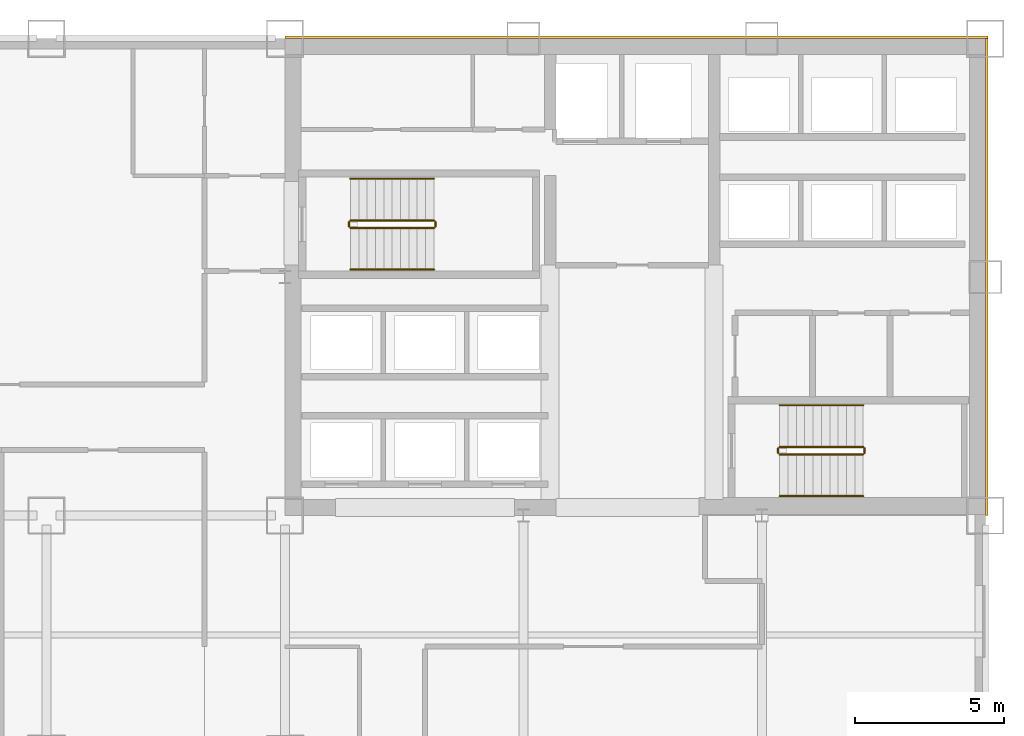
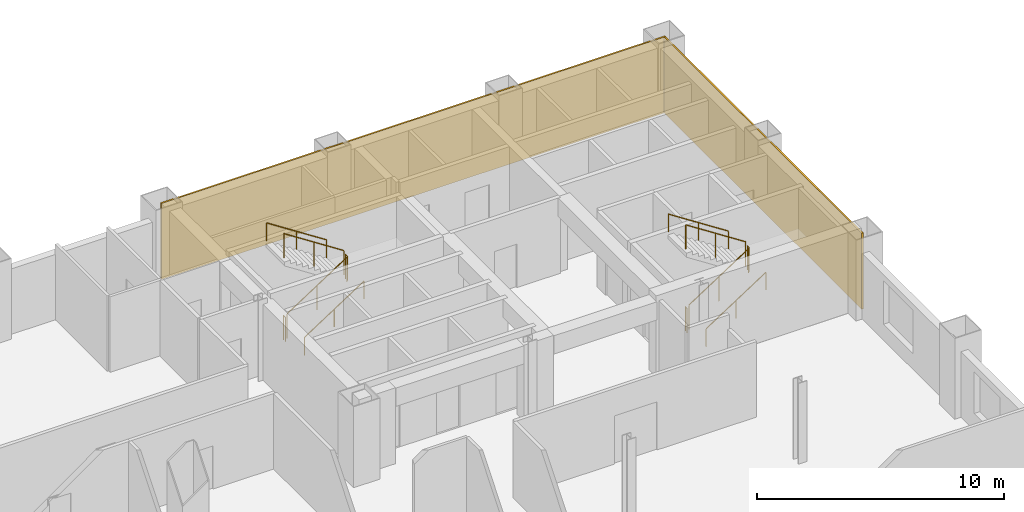
# One storey, part 9 of 9: 12 railings, 2 coverings.
"""IFC4 building model written with IfcOpenShell, lengths in metres."""

from ifc_helpers import new_model, si_unit, direction, frame, origin, origin_2d, place, context, subcontext, project, spatial, rectangle, circle, extrude, material, layer, layer_set, type_object, element, save


model = new_model("IFC4")

# Units and contexts
model_context = context("Model", 3, precision=1e-05, world=origin(), true_north=direction((0.0, 1.0)))
body_context = subcontext(model_context, "Body", "Model", "MODEL_VIEW")
ifc_project = project(units=[si_unit("LENGTHUNIT", "METRE"), si_unit("AREAUNIT", "SQUARE_METRE"), si_unit("VOLUMEUNIT", "CUBIC_METRE"), si_unit("PLANEANGLEUNIT", "RADIAN"), si_unit("MASSUNIT", "GRAM", prefix="KILO")], contexts=[model_context])

# Site, building, storey
site_placement = place(None, origin())
site = spatial("IfcSite", under=ifc_project, at=site_placement, CompositionType="ELEMENT")
building_placement = place(site_placement, origin())
building = spatial("IfcBuilding", under=site, at=building_placement, Name="Qianrong Seaharbour Tower", CompositionType="ELEMENT")
storey_placement = place(building_placement, frame((0.0, 0.0, 60.199951171875)))
storey = spatial("IfcBuildingStorey", under=building, at=storey_placement, Name="L14", CompositionType="ELEMENT", Elevation=60.199951171875)

# Coverings
ifc_material_1 = material(Name="Unitised red brick cladding on Precast concrete C45/55", Category="masonry")
ifc_layer = layer(ifc_material_1, 0.080078125)
ifc_layer_set = layer_set([ifc_layer], Name="Unitised red brick cladding on Precast concrete C45/55")
covering_type = type_object("IfcCoveringType", Name="COV-CLAD-RED-BRICK-80", PredefinedType="CLADDING", material=ifc_layer_set)
covering_1_placement = place(storey_placement, frame((52.2900390625, 52.0400390625, 0.0), z_axis=(0.0, 0.0, 1.0), x_axis=(1.0, 0.0, 0.0)))
element("IfcCovering", 1, at=covering_1_placement, inside=storey, type_object=covering_type, Name="L14 North Core Brick Veneer Cladding", PredefinedType="CLADDING", context=body_context, shape_type="SweptSolid", body=[
    extrude(rectangle(XDim=23.580078125, YDim=0.080078125, at=origin_2d()), origin(), (0.0, 0.0, 1.0), 3.75),
])
covering_2_placement = place(storey_placement, frame((64.0400390625, 44.0, 0.0), z_axis=(0.0, 0.0, 1.0), x_axis=(1.0, 0.0, 0.0)))
element("IfcCovering", 2, at=covering_2_placement, inside=storey, type_object=covering_type, Name="L14 East Core Brick Veneer Cladding", PredefinedType="CLADDING", context=body_context, shape_type="SweptSolid", body=[
    extrude(rectangle(XDim=0.080078125, YDim=16.0, at=origin_2d()), origin(), (0.0, 0.0, 1.0), 3.75),
])

# Railings
ifc_material_2 = material(Name="Galvanized painted steel SN400B stair guard", Category="steel")
railing_type_1 = type_object("IfcRailingType", Name="RAIL-STAIR-GUARD-1220", PredefinedType="GUARDRAIL", material=ifc_material_2)
railing_1_placement = place(storey_placement, frame((42.699951171875, 45.64990234375, 0.181884765625)))
element("IfcRailing", 3, at=railing_1_placement, inside=storey, type_object=railing_type_1, Name="L14 ST-1 stair guard 1", PredefinedType="GUARDRAIL", context=body_context, shape_type="SweptSolid", body=[
    extrude(circle(Radius=0.02392578125, at=origin_2d()), frame((0.0, 0.0, 1.19580078125), z_axis=(0.838705829183, 0.0, 0.544584733623), x_axis=(0.0, 1.0, 0.0)), (0.0, 0.0, 1.0), 3.338623046875),
    extrude(circle(Radius=0.02099609375, at=origin_2d()), origin(), (0.0, 0.0, 1.0), 1.171875),
    extrude(circle(Radius=0.02099609375, at=origin_2d()), frame((1.39990234375, 0.0, 0.9091796875)), (0.0, 0.0, 1.0), 1.171875),
    extrude(circle(Radius=0.02099609375, at=origin_2d()), frame((2.800048828125, 0.0, 1.818115234375)), (0.0, 0.0, 1.0), 1.171875),
])
railing_2_placement = place(storey_placement, frame((45.550048828125, 45.699951171875, 2.0)))
element("IfcRailing", 4, at=railing_2_placement, inside=storey, type_object=railing_type_1, Name="L14 ST-1 stair guard 2", PredefinedType="GUARDRAIL", context=body_context, shape_type="SweptSolid", body=[
    extrude(circle(Radius=0.02392578125, at=origin_2d()), frame((0.0, 0.0, 1.19580078125), z_axis=(0.0, 1.0, 0.0), x_axis=(-1.0, 0.0, 0.0)), (0.0, 0.0, 1.0), 0.150146484375),
    extrude(circle(Radius=0.02099609375, at=origin_2d()), origin(), (0.0, 0.0, 1.0), 1.171875),
    extrude(circle(Radius=0.02099609375, at=origin_2d()), frame((0.0, 0.150146484375, 0.0)), (0.0, 0.0, 1.0), 1.171875),
])
railing_3_placement = place(storey_placement, frame((45.5, 45.89990234375, 2.181884765625)))
element("IfcRailing", 5, at=railing_3_placement, inside=storey, type_object=railing_type_1, Name="L14 ST-1 stair guard 3", PredefinedType="GUARDRAIL", context=body_context, shape_type="SweptSolid", body=[
    extrude(circle(Radius=0.02392578125, at=origin_2d()), frame((0.0, 0.0, 1.19580078125), z_axis=(-0.838705829183, 0.0, 0.544584733623), x_axis=(0.0, -1.0, 0.0)), (0.0, 0.0, 1.0), 3.338623046875),
    extrude(circle(Radius=0.02099609375, at=origin_2d()), origin(), (0.0, 0.0, 1.0), 1.171875),
    extrude(circle(Radius=0.02099609375, at=origin_2d()), frame((-1.39990234375, 0.0, 0.9091796875)), (0.0, 0.0, 1.0), 1.171875),
    extrude(circle(Radius=0.02099609375, at=origin_2d()), frame((-2.800048828125, 0.0, 1.818115234375)), (0.0, 0.0, 1.0), 1.171875),
])
railing_4_placement = place(storey_placement, frame((42.64990234375, 45.699951171875, 0.0)))
element("IfcRailing", 6, at=railing_4_placement, inside=storey, type_object=railing_type_1, Name="L14 ST-1 stair guard 4", PredefinedType="GUARDRAIL", context=body_context, shape_type="SweptSolid", body=[
    extrude(circle(Radius=0.02392578125, at=origin_2d()), frame((0.0, 0.0, 1.19580078125), z_axis=(0.0, 1.0, 0.0), x_axis=(-1.0, 0.0, 0.0)), (0.0, 0.0, 1.0), 0.150146484375),
    extrude(circle(Radius=0.02099609375, at=origin_2d()), origin(), (0.0, 0.0, 1.0), 1.171875),
    extrude(circle(Radius=0.02099609375, at=origin_2d()), frame((0.0, 0.150146484375, 0.0)), (0.0, 0.0, 1.0), 1.171875),
])
railing_5_placement = place(storey_placement, frame((57.10009765625, 38.050048828125, 0.181884765625)))
element("IfcRailing", 7, at=railing_5_placement, inside=storey, type_object=railing_type_1, Name="L14 ST-2 stair guard 1", PredefinedType="GUARDRAIL", context=body_context, shape_type="SweptSolid", body=[
    extrude(circle(Radius=0.02392578125, at=origin_2d()), frame((0.0, 0.0, 1.19580078125), z_axis=(0.83868413941, 0.0, 0.544618136222), x_axis=(0.0, 1.0, 0.0)), (0.0, 0.0, 1.0), 3.33837890625),
    extrude(circle(Radius=0.02099609375, at=origin_2d()), origin(), (0.0, 0.0, 1.0), 1.171875),
    extrude(circle(Radius=0.02099609375, at=origin_2d()), frame((1.39990234375, 0.0, 0.9091796875)), (0.0, 0.0, 1.0), 1.171875),
    extrude(circle(Radius=0.02099609375, at=origin_2d()), frame((2.7998046875, 0.0, 1.818115234375)), (0.0, 0.0, 1.0), 1.171875),
])
railing_6_placement = place(storey_placement, frame((59.949951171875, 38.10009765625, 2.0)))
element("IfcRailing", 8, at=railing_6_placement, inside=storey, type_object=railing_type_1, Name="L14 ST-2 stair guard 2", PredefinedType="GUARDRAIL", context=body_context, shape_type="SweptSolid", body=[
    extrude(circle(Radius=0.02392578125, at=origin_2d()), frame((0.0, 0.0, 1.19580078125), z_axis=(0.0, 1.0, 0.0), x_axis=(-1.0, 0.0, 0.0)), (0.0, 0.0, 1.0), 0.14990234375),
    extrude(circle(Radius=0.02099609375, at=origin_2d()), origin(), (0.0, 0.0, 1.0), 1.171875),
    extrude(circle(Radius=0.02099609375, at=origin_2d()), frame((0.0, 0.14990234375, 0.0)), (0.0, 0.0, 1.0), 1.171875),
])
railing_7_placement = place(storey_placement, frame((59.89990234375, 38.300048828125, 2.181884765625)))
element("IfcRailing", 9, at=railing_7_placement, inside=storey, type_object=railing_type_1, Name="L14 ST-2 stair guard 3", PredefinedType="GUARDRAIL", context=body_context, shape_type="SweptSolid", body=[
    extrude(circle(Radius=0.02392578125, at=origin_2d()), frame((0.0, 0.0, 1.19580078125), z_axis=(-0.83868413941, 0.0, 0.544618136222), x_axis=(0.0, -1.0, 0.0)), (0.0, 0.0, 1.0), 3.33837890625),
    extrude(circle(Radius=0.02099609375, at=origin_2d()), origin(), (0.0, 0.0, 1.0), 1.171875),
    extrude(circle(Radius=0.02099609375, at=origin_2d()), frame((-1.39990234375, 0.0, 0.9091796875)), (0.0, 0.0, 1.0), 1.171875),
    extrude(circle(Radius=0.02099609375, at=origin_2d()), frame((-2.7998046875, 0.0, 1.818115234375)), (0.0, 0.0, 1.0), 1.171875),
])
railing_8_placement = place(storey_placement, frame((57.050048828125, 38.10009765625, 0.0)))
element("IfcRailing", 10, at=railing_8_placement, inside=storey, type_object=railing_type_1, Name="L14 ST-2 stair guard 4", PredefinedType="GUARDRAIL", context=body_context, shape_type="SweptSolid", body=[
    extrude(circle(Radius=0.02392578125, at=origin_2d()), frame((0.0, 0.0, 1.19580078125), z_axis=(0.0, 1.0, 0.0), x_axis=(-1.0, 0.0, 0.0)), (0.0, 0.0, 1.0), 0.14990234375),
    extrude(circle(Radius=0.02099609375, at=origin_2d()), origin(), (0.0, 0.0, 1.0), 1.171875),
    extrude(circle(Radius=0.02099609375, at=origin_2d()), frame((0.0, 0.14990234375, 0.0)), (0.0, 0.0, 1.0), 1.171875),
])
ifc_material_3 = material(Name="Stainless steel SUS316L continuous handrail", Category="steel")
railing_type_2 = type_object("IfcRailingType", Name="RAIL-STAIR-HANDRAIL-900", PredefinedType="HANDRAIL", material=ifc_material_3)
railing_9_placement = place(storey_placement, frame((42.699951171875, 44.25, 0.181884765625)))
element("IfcRailing", 11, at=railing_9_placement, inside=storey, type_object=railing_type_2, Name="L14 ST-1 stair handrail 1", PredefinedType="HANDRAIL", context=body_context, shape_type="SweptSolid", body=[
    extrude(circle(Radius=0.02392578125, at=origin_2d()), frame((0.0, 0.0, 0.8759765625), z_axis=(0.838705829183, 0.0, 0.544584733623), x_axis=(0.0, 1.0, 0.0)), (0.0, 0.0, 1.0), 3.338623046875),
    extrude(circle(Radius=0.02099609375, at=origin_2d()), origin(), (0.0, 0.0, 1.0), 0.851806640625),
    extrude(circle(Radius=0.02099609375, at=origin_2d()), frame((1.39990234375, 0.0, 0.9091796875)), (0.0, 0.0, 1.0), 0.851806640625),
    extrude(circle(Radius=0.02099609375, at=origin_2d()), frame((2.800048828125, 0.0, 1.818115234375)), (0.0, 0.0, 1.0), 0.851806640625),
])
railing_10_placement = place(storey_placement, frame((45.5, 47.300048828125, 2.181884765625)))
element("IfcRailing", 12, at=railing_10_placement, inside=storey, type_object=railing_type_2, Name="L14 ST-1 stair handrail 2", PredefinedType="HANDRAIL", context=body_context, shape_type="SweptSolid", body=[
    extrude(circle(Radius=0.02392578125, at=origin_2d()), frame((0.0, 0.0, 0.8759765625), z_axis=(-0.838705829183, 0.0, 0.544584733623), x_axis=(0.0, -1.0, 0.0)), (0.0, 0.0, 1.0), 3.338623046875),
    extrude(circle(Radius=0.02099609375, at=origin_2d()), origin(), (0.0, 0.0, 1.0), 0.851806640625),
    extrude(circle(Radius=0.02099609375, at=origin_2d()), frame((-1.39990234375, 0.0, 0.9091796875)), (0.0, 0.0, 1.0), 0.851806640625),
    extrude(circle(Radius=0.02099609375, at=origin_2d()), frame((-2.800048828125, 0.0, 1.818115234375)), (0.0, 0.0, 1.0), 0.851806640625),
])
railing_11_placement = place(storey_placement, frame((57.10009765625, 36.64990234375, 0.181884765625)))
element("IfcRailing", 13, at=railing_11_placement, inside=storey, type_object=railing_type_2, Name="L14 ST-2 stair handrail 1", PredefinedType="HANDRAIL", context=body_context, shape_type="SweptSolid", body=[
    extrude(circle(Radius=0.02392578125, at=origin_2d()), frame((0.0, 0.0, 0.8759765625), z_axis=(0.83868413941, 0.0, 0.544618136222), x_axis=(0.0, 1.0, 0.0)), (0.0, 0.0, 1.0), 3.33837890625),
    extrude(circle(Radius=0.02099609375, at=origin_2d()), origin(), (0.0, 0.0, 1.0), 0.851806640625),
    extrude(circle(Radius=0.02099609375, at=origin_2d()), frame((1.39990234375, 0.0, 0.9091796875)), (0.0, 0.0, 1.0), 0.851806640625),
    extrude(circle(Radius=0.02099609375, at=origin_2d()), frame((2.7998046875, 0.0, 1.818115234375)), (0.0, 0.0, 1.0), 0.851806640625),
])
railing_12_placement = place(storey_placement, frame((59.89990234375, 39.699951171875, 2.181884765625)))
element("IfcRailing", 14, at=railing_12_placement, inside=storey, type_object=railing_type_2, Name="L14 ST-2 stair handrail 2", PredefinedType="HANDRAIL", context=body_context, shape_type="SweptSolid", body=[
    extrude(circle(Radius=0.02392578125, at=origin_2d()), frame((0.0, 0.0, 0.8759765625), z_axis=(-0.83868413941, 0.0, 0.544618136222), x_axis=(0.0, -1.0, 0.0)), (0.0, 0.0, 1.0), 3.33837890625),
    extrude(circle(Radius=0.02099609375, at=origin_2d()), origin(), (0.0, 0.0, 1.0), 0.851806640625),
    extrude(circle(Radius=0.02099609375, at=origin_2d()), frame((-1.39990234375, 0.0, 0.9091796875)), (0.0, 0.0, 1.0), 0.851806640625),
    extrude(circle(Radius=0.02099609375, at=origin_2d()), frame((-2.7998046875, 0.0, 1.818115234375)), (0.0, 0.0, 1.0), 0.851806640625),
])

save(model, "model.ifc")
